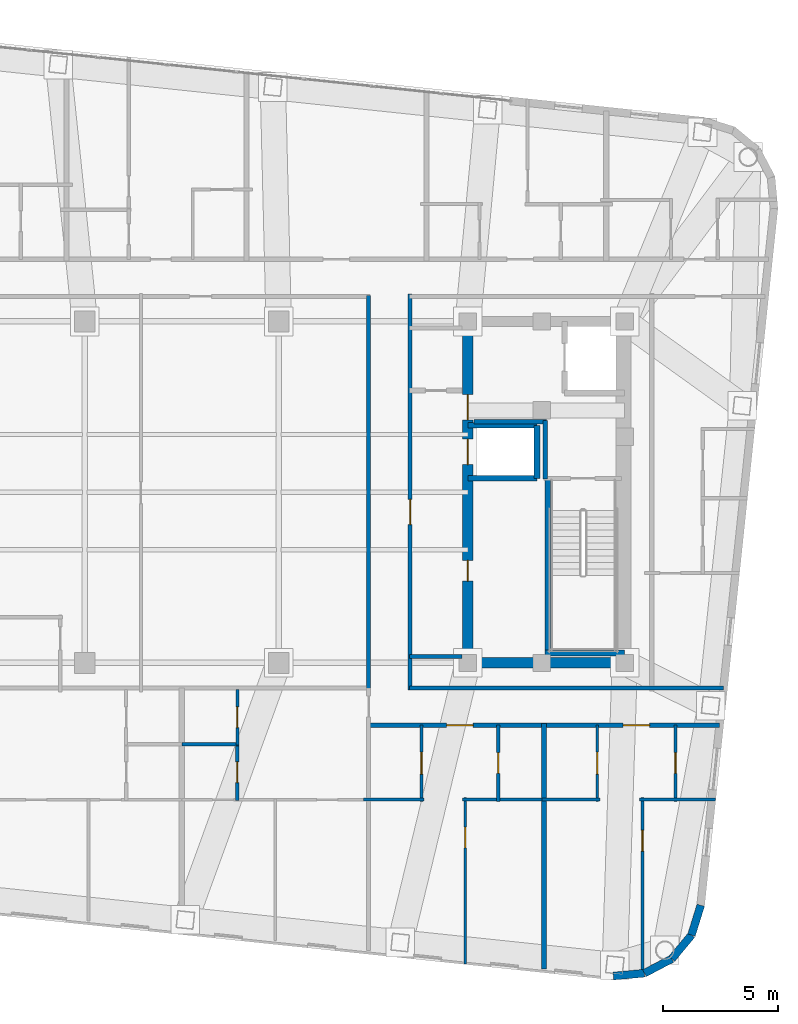
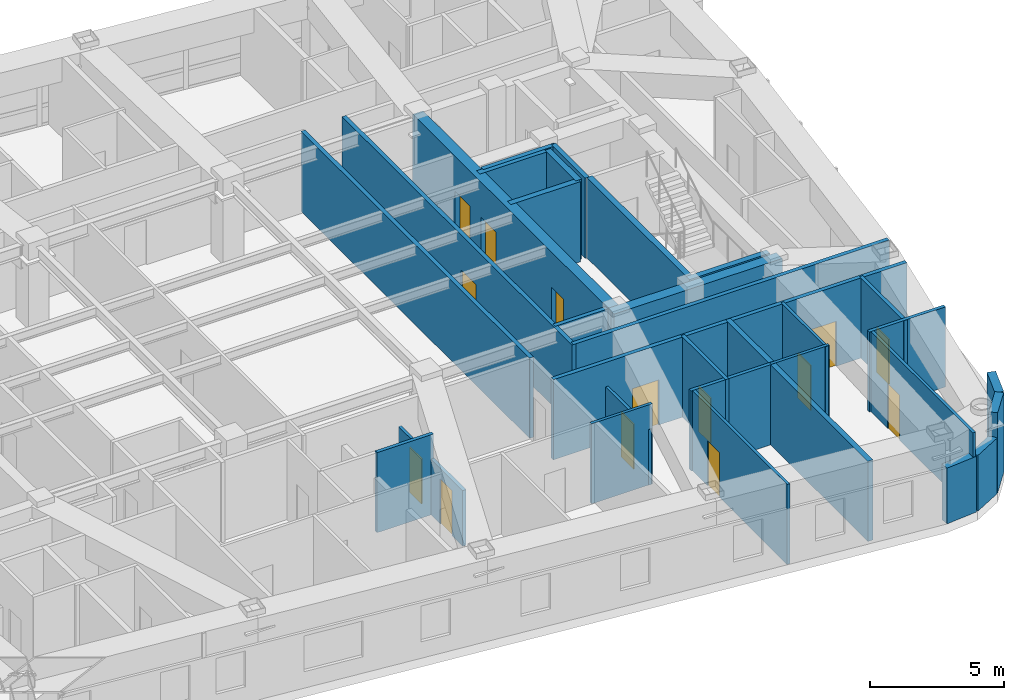
# One storey, part 11 of 16: 32 walls, 14 doors, 14 openings.
"""IFC4 building model written with IfcOpenShell, lengths in metres."""

from ifc_helpers import new_model, si_unit, direction, frame, frame_2d, origin, place, context, subcontext, project, spatial, rectangle, extrude, material, layer, layer_set, type_object, element, fill, save


model = new_model("IFC4")

# Units and contexts
model_context = context("Model", 3, precision=1e-05, world=origin(), true_north=direction((0.0, 1.0)))
body_context = subcontext(model_context, "Body", "Model", "MODEL_VIEW")
ifc_project = project(units=[si_unit("LENGTHUNIT", "METRE"), si_unit("AREAUNIT", "SQUARE_METRE"), si_unit("VOLUMEUNIT", "CUBIC_METRE"), si_unit("PLANEANGLEUNIT", "RADIAN"), si_unit("MASSUNIT", "GRAM", prefix="KILO")], contexts=[model_context])

# Site, building, storey
site_placement = place(None, origin())
site = spatial("IfcSite", under=ifc_project, at=site_placement, CompositionType="ELEMENT")
building_placement = place(site_placement, origin())
building = spatial("IfcBuilding", under=site, at=building_placement, Name="Voryun Gate Residences", CompositionType="ELEMENT")
storey_placement = place(building_placement, frame((0.0, 0.0, 260.0)))
storey = spatial("IfcBuildingStorey", under=building, at=storey_placement, Name="L64", CompositionType="ELEMENT", Elevation=260.0)

# Wall
ifc_material_1 = material(Name="Concrete C50/60", Category="concrete")
ifc_layer_1 = layer(ifc_material_1, 0.449951171875, Name="CW_CORE_450")
ifc_layer_set_1 = layer_set([ifc_layer_1], Name="Concrete C50/60")
wall_type_1 = type_object("IfcWallType", Name="CW_CORE_450", PredefinedType="SHEAR", material=ifc_layer_set_1)
wall_1_placement = place(storey_placement, frame((12.175048828125, -7.39990234375, 0.0), z_axis=(0.0, 0.0, 1.0), x_axis=(1.0, 0.0, 0.0)))
element("IfcWall", 1, at=wall_1_placement, inside=storey, type_object=wall_type_1, Name="L64 Core shear wall CW-L64-ES", PredefinedType="SHEAR", context=body_context, shape_type="SweptSolid", body=[
    extrude(rectangle(XDim=7.25, YDim=0.449951171875, at=frame_2d((3.625, 0.0))), origin(), (0.0, 0.0, 1.0), 3.64990234375),
])

# Wall, openings, doors
wall_2_placement = place(storey_placement, frame((12.39990234375, -7.39990234375, 0.0), z_axis=(0.0, 0.0, 1.0), x_axis=(0.0, 1.0, 0.0)))
wall_2 = element("IfcWall", 2, at=wall_2_placement, inside=storey, type_object=wall_type_1, Name="L64 Core shear wall CW-L64-EW", PredefinedType="SHEAR", context=body_context, shape_type="SweptSolid", body=[
    extrude(rectangle(XDim=14.7998046875, YDim=0.449951171875, at=frame_2d((7.39990234375, 0.0))), origin(), (0.0, 0.0, 1.0), 3.64990234375),
])
opening_1_placement = place(wall_2_placement, frame((8.60009765625, 0.0, 0.0)))
opening_1 = element("IfcOpeningElement", 3, at=opening_1_placement, cuts=wall_2, Name="Opening LD2", PredefinedType="OPENING", context=body_context, shape_type="SweptSolid", body=[
    extrude(rectangle(XDim=1.10009765625, YDim=2.050048828125, at=frame_2d((0.550048828125, 1.02490234375))), frame((0.0, 0.235107421875, 0.0), z_axis=(0.0, -1.0, 0.0), x_axis=(1.0, 0.0, 0.0)), (0.0, 0.0, 1.0), 0.469970703125),
])
opening_2_placement = place(wall_2_placement, frame((10.530029296875, 0.0, 0.0)))
opening_2 = element("IfcOpeningElement", 4, at=opening_2_placement, cuts=wall_2, Name="Opening D-FD60-2", PredefinedType="OPENING", context=body_context, shape_type="SweptSolid", body=[
    extrude(rectangle(XDim=1.10009765625, YDim=2.050048828125, at=frame_2d((0.550048828125, 1.02490234375))), frame((0.0, 0.235107421875, 0.0), z_axis=(0.0, -1.0, 0.0), x_axis=(1.0, 0.0, 0.0)), (0.0, 0.0, 1.0), 0.469970703125),
])
opening_3_placement = place(wall_2_placement, frame((3.550048828125, 0.0, 0.0)))
opening_3 = element("IfcOpeningElement", 5, at=opening_3_placement, cuts=wall_2, Name="Opening D-FD60-4", PredefinedType="OPENING", context=body_context, shape_type="SweptSolid", body=[
    extrude(rectangle(XDim=0.89990234375, YDim=2.050048828125, at=frame_2d((0.449951171875, 1.02490234375))), frame((0.0, 0.235107421875, 0.0), z_axis=(0.0, -1.0, 0.0), x_axis=(1.0, 0.0, 0.0)), (0.0, 0.0, 1.0), 0.469970703125),
])
ifc_material_2 = material(Name="Painted steel fire door", Category="steel")
door_type_1 = type_object("IfcDoorType", Name="DR_FD60_FFLOB_1100", OperationType="NOTDEFINED", PredefinedType="DOOR", material=ifc_material_2)
door_1_placement = place(opening_2_placement, origin())
door_1 = element("IfcDoor", 6, at=door_1_placement, inside=storey, type_object=door_type_1, Name="Door DR-L64-CLOB-E", OperationType="SINGLE_SWING_RIGHT", OverallHeight=2.050048828125, OverallWidth=1.10009765625, PredefinedType="DOOR", context=body_context, shape_type="SweptSolid", body=[
    extrude(rectangle(XDim=1.10009765625, YDim=2.050048828125, at=frame_2d((0.550048828125, 1.02490234375))), frame((0.0, 0.02490234375, 0.0), z_axis=(0.0, -1.0, 0.0), x_axis=(1.0, 0.0, 0.0)), (0.0, 0.0, 1.0), 0.050048828125),
])
fill(opening_2, door_1)
ifc_material_3 = material(Name="Painted steel fire door", Category="steel")
door_type_2 = type_object("IfcDoorType", Name="DR_FD60_RISER_900", OperationType="NOTDEFINED", PredefinedType="DOOR", material=ifc_material_3)
door_2_placement = place(opening_3_placement, origin())
door_2 = element("IfcDoor", 7, at=door_2_placement, inside=storey, type_object=door_type_2, Name="Door DR-L64-RECE-HI", OperationType="SINGLE_SWING_RIGHT", OverallHeight=2.050048828125, OverallWidth=0.89990234375, PredefinedType="DOOR", context=body_context, shape_type="SweptSolid", body=[
    extrude(rectangle(XDim=0.89990234375, YDim=2.050048828125, at=frame_2d((0.449951171875, 1.02490234375))), frame((0.0, 0.02490234375, 0.0), z_axis=(0.0, -1.0, 0.0), x_axis=(1.0, 0.0, 0.0)), (0.0, 0.0, 1.0), 0.050048828125),
])
fill(opening_3, door_2)
ifc_material_4 = material(Name="Anodised aluminium", Category="aluminium")
door_type_3 = type_object("IfcDoorType", Name="DR_LD_PASS_1100", OperationType="NOTDEFINED", PredefinedType="DOOR", material=ifc_material_4)
door_3_placement = place(opening_1_placement, origin())
door_3 = element("IfcDoor", 8, at=door_3_placement, inside=storey, type_object=door_type_3, Name="Lift EL-P8 sliding landing door L64", OperationType="SLIDING_TO_LEFT", OverallHeight=2.050048828125, OverallWidth=1.10009765625, PredefinedType="DOOR", context=body_context, shape_type="SweptSolid", body=[
    extrude(rectangle(XDim=1.10009765625, YDim=2.050048828125, at=frame_2d((0.550048828125, 1.02490234375))), frame((0.0, 0.02490234375, 0.0), z_axis=(0.0, -1.0, 0.0), x_axis=(1.0, 0.0, 0.0)), (0.0, 0.0, 1.0), 0.050048828125),
])
fill(opening_1, door_3)

# Wall
ifc_material_5 = material(Name="Gypsum acoustic fireboard")
ifc_layer_2 = layer(ifc_material_5, 0.179931640625, Name="W_CORR_RATED_180")
ifc_layer_set_2 = layer_set([ifc_layer_2], Name="Gypsum acoustic fireboard")
wall_type_2 = type_object("IfcWallType", Name="W_CORR_RATED_180", PredefinedType="PARTITIONING", material=ifc_layer_set_2)
wall_3_placement = place(storey_placement, frame((9.8798828125, -7.1201171875, 0.0), z_axis=(0.0, 0.0, 1.0), x_axis=(1.0, 0.0, 0.0)))
element("IfcWall", 9, at=wall_3_placement, inside=storey, type_object=wall_type_2, Name="Partition wall WP-L64-PLBS-E", PredefinedType="PARTITIONING", context=body_context, shape_type="SweptSolid", body=[
    extrude(rectangle(XDim=2.27001953125, YDim=0.179931640625, at=frame_2d((1.135009765625, 0.0))), origin(), (0.0, 0.0, 1.0), 3.64990234375),
])

# Wall, opening, door
wall_4_placement = place(storey_placement, frame((9.89990234375, -8.580078125, 0.0), z_axis=(0.0, 0.0, 1.0), x_axis=(0.0, 1.0, 0.0)))
wall_4 = element("IfcWall", 10, at=wall_4_placement, inside=storey, type_object=wall_type_2, Name="Partition wall WP-L64-PLBE-FULL", PredefinedType="PARTITIONING", context=body_context, shape_type="SweptSolid", body=[
    extrude(rectangle(XDim=17.16015625, YDim=0.179931640625, at=frame_2d((8.580078125, 0.0))), origin(), (0.0, 0.0, 1.0), 3.64990234375),
])
opening_4_placement = place(wall_4_placement, frame((7.172119140625, 0.0, 0.0)))
opening_4 = element("IfcOpeningElement", 11, at=opening_4_placement, cuts=wall_4, Name="Opening D-FD60-2", PredefinedType="OPENING", context=body_context, shape_type="SweptSolid", body=[
    extrude(rectangle(XDim=1.10009765625, YDim=2.050048828125, at=frame_2d((0.550048828125, 1.02490234375))), frame((0.0, 0.099853515625, 0.0), z_axis=(0.0, -1.0, 0.0), x_axis=(1.0, 0.0, 0.0)), (0.0, 0.0, 1.0), 0.199951171875),
])
door_4_placement = place(opening_4_placement, origin())
door_4 = element("IfcDoor", 12, at=door_4_placement, inside=storey, type_object=door_type_1, Name="Door DR-L64-PLBE-COR", OperationType="SINGLE_SWING_RIGHT", OverallHeight=2.050048828125, OverallWidth=1.10009765625, PredefinedType="DOOR", context=body_context, shape_type="SweptSolid", body=[
    extrude(rectangle(XDim=1.10009765625, YDim=2.050048828125, at=frame_2d((0.550048828125, 1.02490234375))), frame((0.0, 0.02490234375, 0.0), z_axis=(0.0, -1.0, 0.0), x_axis=(1.0, 0.0, 0.0)), (0.0, 0.0, 1.0), 0.050048828125),
])
fill(opening_4, door_4)

# Walls
wall_5_placement = place(storey_placement, frame((9.8798828125, -8.489990234375, 0.0), z_axis=(0.0, 0.0, 1.0), x_axis=(1.0, 0.0, 0.0)))
element("IfcWall", 13, at=wall_5_placement, inside=storey, type_object=wall_type_2, Name="Partition wall WP-L64-CWING-ES", PredefinedType="PARTITIONING", context=body_context, shape_type="SweptSolid", body=[
    extrude(rectangle(XDim=13.605712890625, YDim=0.179931640625, at=frame_2d((6.802734375, 0.0))), origin(), (0.0, 0.0, 1.0), 3.64990234375),
])
wall_6_placement = place(storey_placement, frame((8.10009765625, -8.530029296875, 0.0), z_axis=(0.0, 0.0, 1.0), x_axis=(0.0, 1.0, 0.0)))
element("IfcWall", 14, at=wall_6_placement, inside=storey, type_object=wall_type_2, Name="Partition wall WP-L64-Z3E", PredefinedType="PARTITIONING", context=body_context, shape_type="SweptSolid", body=[
    extrude(rectangle(XDim=17.06005859375, YDim=0.179931640625, at=frame_2d((8.530029296875, 0.0))), origin(), (0.0, 0.0, 1.0), 3.64990234375),
])

# Wall, openings, doors
wall_7_placement = place(storey_placement, frame((8.080078125, -10.10009765625, 0.0), z_axis=(0.0, 0.0, 1.0), x_axis=(1.0, 0.0, 0.0)))
wall_7 = element("IfcWall", 15, at=wall_7_placement, inside=storey, type_object=wall_type_2, Name="Partition wall WP-L64-SCORR-E", PredefinedType="PARTITIONING", context=body_context, shape_type="SweptSolid", body=[
    extrude(rectangle(XDim=15.236083984375, YDim=0.179931640625, at=frame_2d((7.6181640625, 0.0))), origin(), (0.0, 0.0, 1.0), 3.64990234375),
])
opening_5_placement = place(wall_7_placement, frame((3.400146484375, 0.0, 0.0)))
opening_5 = element("IfcOpeningElement", 16, at=opening_5_placement, cuts=wall_7, Name="Opening D-UNIT-1", PredefinedType="OPENING", context=body_context, shape_type="SweptSolid", body=[
    extrude(rectangle(XDim=1.14990234375, YDim=2.050048828125, at=frame_2d((0.574951171875, 1.02490234375))), frame((0.0, 0.099853515625, 0.0), z_axis=(0.0, -1.0, 0.0), x_axis=(1.0, 0.0, 0.0)), (0.0, 0.0, 1.0), 0.199951171875),
])
opening_6_placement = place(wall_7_placement, frame((11.05029296875, 0.0, 0.0)))
opening_6 = element("IfcOpeningElement", 17, at=opening_6_placement, cuts=wall_7, Name="Opening D-UNIT-1", PredefinedType="OPENING", context=body_context, shape_type="SweptSolid", body=[
    extrude(rectangle(XDim=1.14990234375, YDim=2.050048828125, at=frame_2d((0.574951171875, 1.02490234375))), frame((0.0, 0.099853515625, 0.0), z_axis=(0.0, -1.0, 0.0), x_axis=(1.0, 0.0, 0.0)), (0.0, 0.0, 1.0), 0.199951171875),
])
ifc_material_6 = material(Name="Armoured timber-clad fire door", Category="wood")
door_type_4 = type_object("IfcDoorType", Name="DR_UNIT_ENTRY_1150", OperationType="NOTDEFINED", PredefinedType="DOOR", material=ifc_material_6)
door_5_placement = place(opening_5_placement, origin())
door_5 = element("IfcDoor", 18, at=door_5_placement, inside=storey, type_object=door_type_4, Name="Door DR-L64-SENT-6", OperationType="SINGLE_SWING_LEFT", OverallHeight=2.050048828125, OverallWidth=1.14990234375, PredefinedType="DOOR", context=body_context, shape_type="SweptSolid", body=[
    extrude(rectangle(XDim=1.14990234375, YDim=2.050048828125, at=frame_2d((0.574951171875, 1.02490234375))), frame((0.0, 0.02490234375, 0.0), z_axis=(0.0, -1.0, 0.0), x_axis=(1.0, 0.0, 0.0)), (0.0, 0.0, 1.0), 0.050048828125),
])
fill(opening_5, door_5)
door_6_placement = place(opening_6_placement, origin())
door_6 = element("IfcDoor", 19, at=door_6_placement, inside=storey, type_object=door_type_4, Name="Door DR-L64-SENT-7", OperationType="SINGLE_SWING_RIGHT", OverallHeight=2.050048828125, OverallWidth=1.14990234375, PredefinedType="DOOR", context=body_context, shape_type="SweptSolid", body=[
    extrude(rectangle(XDim=1.14990234375, YDim=2.050048828125, at=frame_2d((0.574951171875, 1.02490234375))), frame((0.0, 0.02490234375, 0.0), z_axis=(0.0, -1.0, 0.0), x_axis=(1.0, 0.0, 0.0)), (0.0, 0.0, 1.0), 0.050048828125),
])
fill(opening_6, door_6)

# Walls
ifc_material_7 = material(Name="Charcoal terracotta masonry", Category="masonry")
ifc_layer_3 = layer(ifc_material_7, 0.340087890625, Name="W_EXT_TERRACOTTA_340")
ifc_layer_set_3 = layer_set([ifc_layer_3], Name="Charcoal terracotta masonry")
wall_type_3 = type_object("IfcWallType", Name="W_EXT_TERRACOTTA_340", PredefinedType="ELEMENTEDWALL", material=ifc_layer_set_3)
wall_8_placement = place(storey_placement, frame((22.495849609375, -17.904541015625, 0.0), z_axis=(0.0, 0.0, 1.0), x_axis=(-0.296416228123, -0.955058856671, 0.0)))
element("IfcWall", 20, at=wall_8_placement, inside=storey, type_object=wall_type_3, Name="Exterior wall WEXT-L64-17", PredefinedType="ELEMENTEDWALL", context=body_context, shape_type="SweptSolid", body=[
    extrude(rectangle(XDim=1.35400390625, YDim=0.340087890625, at=frame_2d((0.677001953125, 0.0))), origin(), (0.0, 0.0, 1.0), 3.64990234375),
])
wall_9_placement = place(storey_placement, frame((22.094482421875, -19.19775390625, 0.0), z_axis=(0.0, 0.0, 1.0), x_axis=(-0.639501603217, -0.768789762863, 0.0)))
element("IfcWall", 21, at=wall_9_placement, inside=storey, type_object=wall_type_3, Name="Exterior wall WEXT-L64-18", PredefinedType="ELEMENTEDWALL", context=body_context, shape_type="SweptSolid", body=[
    extrude(rectangle(XDim=1.3369140625, YDim=0.340087890625, at=frame_2d((0.66845703125, 0.0))), origin(), (0.0, 0.0, 1.0), 3.64990234375),
])
wall_10_placement = place(storey_placement, frame((21.239501953125, -20.2255859375, 0.0), z_axis=(0.0, 0.0, 1.0), x_axis=(-0.884922182678, -0.465738908193, 0.0)))
element("IfcWall", 22, at=wall_10_placement, inside=storey, type_object=wall_type_3, Name="Exterior wall WEXT-L64-19", PredefinedType="ELEMENTEDWALL", context=body_context, shape_type="SweptSolid", body=[
    extrude(rectangle(XDim=1.337158203125, YDim=0.340087890625, at=frame_2d((0.66845703125, 0.0))), origin(), (0.0, 0.0, 1.0), 2.5400390625),
])
wall_11_placement = place(storey_placement, frame((20.05615234375, -20.848388671875, 0.0), z_axis=(0.0, 0.0, 1.0), x_axis=(-0.995813013343, -0.091413579172, 0.0)))
element("IfcWall", 23, at=wall_11_placement, inside=storey, type_object=wall_type_3, Name="Exterior wall WEXT-L64-20", PredefinedType="ELEMENTEDWALL", context=body_context, shape_type="SweptSolid", body=[
    extrude(rectangle(XDim=1.35400390625, YDim=0.340087890625, at=frame_2d((0.677001953125, 0.0))), origin(), (0.0, 0.0, 1.0), 2.5400390625),
])
ifc_material_8 = material(Name="Concrete C40/50", Category="concrete")
ifc_layer_4 = layer(ifc_material_8, 0.199951171875, Name="W_FF_LOBBY_200")
ifc_layer_set_4 = layer_set([ifc_layer_4], Name="Concrete C40/50")
wall_type_4 = type_object("IfcWallType", Name="W_FF_LOBBY_200", PredefinedType="PARTITIONING", material=ifc_layer_set_4)
wall_12_placement = place(storey_placement, frame((15.760009765625, 0.580078125, 0.0), z_axis=(0.0, 0.0, 1.0), x_axis=(0.0, 1.0, 0.0)))
element("IfcWall", 24, at=wall_12_placement, inside=storey, type_object=wall_type_4, Name="Partition wall WP-L64-FFP0-E", PredefinedType="PARTITIONING", context=body_context, shape_type="SweptSolid", body=[
    extrude(rectangle(XDim=2.52001953125, YDim=0.199951171875, at=frame_2d((1.260009765625, 0.0))), origin(), (0.0, 0.0, 1.0), 3.64990234375),
])
wall_13_placement = place(storey_placement, frame((12.659912109375, 3.06005859375, 0.0), z_axis=(0.0, 0.0, 1.0), x_axis=(1.0, 0.0, 0.0)))
element("IfcWall", 25, at=wall_13_placement, inside=storey, type_object=wall_type_4, Name="Partition wall WP-L64-FFPS-E", PredefinedType="PARTITIONING", context=body_context, shape_type="SweptSolid", body=[
    extrude(rectangle(XDim=3.16015625, YDim=0.199951171875, at=frame_2d((1.580078125, 0.0))), origin(), (0.0, 0.0, 1.0), 3.64990234375),
])
ifc_material_9 = material(Name="Concrete C40/50", Category="concrete")
ifc_layer_5 = layer(ifc_material_9, 0.219970703125, Name="W_PARTY_ACOUSTIC_220")
ifc_layer_set_5 = layer_set([ifc_layer_5], Name="Concrete C40/50")
wall_type_5 = type_object("IfcWallType", Name="W_PARTY_ACOUSTIC_220", PredefinedType="PARTITIONING", material=ifc_layer_set_5)
wall_14_placement = place(storey_placement, frame((15.699951171875, -20.656005859375, 0.0), z_axis=(0.0, 0.0, 1.0), x_axis=(0.0, 1.0, 0.0)))
element("IfcWall", 26, at=wall_14_placement, inside=storey, type_object=wall_type_5, Name="Partition wall WP-L64-SPTY-6", PredefinedType="PARTITIONING", context=body_context, shape_type="SweptSolid", body=[
    extrude(rectangle(XDim=10.635986328125, YDim=0.219970703125, at=frame_2d((5.31787109375, 0.0))), origin(), (0.0, 0.0, 1.0), 3.64990234375),
])
ifc_material_10 = material(Name="Concrete C50/60", Category="concrete")
ifc_layer_6 = layer(ifc_material_10, 0.25, Name="W_SHAFT_RC250")
ifc_layer_set_6 = layer_set([ifc_layer_6], Name="Concrete C50/60")
wall_type_6 = type_object("IfcWallType", Name="W_SHAFT_RC250", PredefinedType="SOLIDWALL", material=ifc_layer_set_6)
wall_15_placement = place(storey_placement, frame((15.860107421875, -7.0849609375, 0.0), z_axis=(0.0, 0.0, 1.0), x_axis=(0.0, 1.0, 0.0)))
element("IfcWall", 27, at=wall_15_placement, inside=storey, type_object=wall_type_6, Name="L64 Stair shaft structural wall E-STL", PredefinedType="SOLIDWALL", context=body_context, shape_type="SweptSolid", body=[
    extrude(rectangle(XDim=7.68505859375, YDim=0.25, at=frame_2d((3.842529296875, 0.0))), origin(), (0.0, 0.0, 1.0), 3.64990234375),
])
wall_16_placement = place(storey_placement, frame((15.739990234375, -6.965087890625, 0.0), z_axis=(0.0, 0.0, 1.0), x_axis=(1.0, 0.0, 0.0)))
element("IfcWall", 28, at=wall_16_placement, inside=storey, type_object=wall_type_6, Name="L64 Stair shaft structural wall E-STS", PredefinedType="SOLIDWALL", context=body_context, shape_type="SweptSolid", body=[
    extrude(rectangle(XDim=3.4599609375, YDim=0.25, at=frame_2d((1.72998046875, 0.0))), origin(), (0.0, 0.0, 1.0), 3.64990234375),
])
wall_17_placement = place(storey_placement, frame((12.39990234375, 0.60009765625, 0.0), z_axis=(0.0, 0.0, 1.0), x_axis=(1.0, 0.0, 0.0)))
element("IfcWall", 29, at=wall_17_placement, inside=storey, type_object=wall_type_6, Name="Lift shaft wall WSH-L64-EL-P8-S", PredefinedType="SOLIDWALL", context=body_context, shape_type="SweptSolid", body=[
    extrude(rectangle(XDim=3.0, YDim=0.25, at=frame_2d((1.5, 0.0))), origin(), (0.0, 0.0, 1.0), 3.64990234375),
])
wall_18_placement = place(storey_placement, frame((15.39990234375, 0.60009765625, 0.0), z_axis=(0.0, 0.0, 1.0), x_axis=(0.0, 1.0, 0.0)))
element("IfcWall", 30, at=wall_18_placement, inside=storey, type_object=wall_type_6, Name="Lift shaft wall WSH-L64-EL-P8-E", PredefinedType="SOLIDWALL", context=body_context, shape_type="SweptSolid", body=[
    extrude(rectangle(XDim=2.2998046875, YDim=0.25, at=frame_2d((1.14990234375, 0.0))), origin(), (0.0, 0.0, 1.0), 3.64990234375),
])
wall_19_placement = place(storey_placement, frame((15.39990234375, 2.89990234375, 0.0), z_axis=(0.0, 0.0, 1.0), x_axis=(-1.0, 0.0, 0.0)))
element("IfcWall", 31, at=wall_19_placement, inside=storey, type_object=wall_type_6, Name="Lift shaft wall WSH-L64-EL-P8-N", PredefinedType="SOLIDWALL", context=body_context, shape_type="SweptSolid", body=[
    extrude(rectangle(XDim=3.0, YDim=0.25, at=frame_2d((1.5, 0.0))), origin(), (0.0, 0.0, 1.0), 3.64990234375),
])

# Wall, opening, door
ifc_material_11 = material(Name="Gypsum acoustic partition")
ifc_layer_7 = layer(ifc_material_11, 0.125, Name="W_UNIT_PART_125")
ifc_layer_set_7 = layer_set([ifc_layer_7], Name="Gypsum acoustic partition")
wall_type_7 = type_object("IfcWallType", Name="W_UNIT_PART_125", PredefinedType="PARTITIONING", material=ifc_layer_set_7)
wall_20_placement = place(storey_placement, frame((12.2900390625, -20.448486328125, 0.0), z_axis=(0.0, 0.0, 1.0), x_axis=(0.0, 1.0, 0.0)))
wall_20 = element("IfcWall", 32, at=wall_20_placement, inside=storey, type_object=wall_type_7, Name="Partition wall WP-L64-S6-OVR", PredefinedType="PARTITIONING", context=body_context, shape_type="SweptSolid", body=[
    extrude(rectangle(XDim=7.20849609375, YDim=0.125, at=frame_2d((3.604248046875, 0.0))), origin(), (0.0, 0.0, 1.0), 3.64990234375),
])
opening_7_placement = place(wall_20_placement, frame((5.0283203125, 0.0, 0.0)))
opening_7 = element("IfcOpeningElement", 33, at=opening_7_placement, cuts=wall_20, Name="Opening D-INT-2", PredefinedType="OPENING", context=body_context, shape_type="SweptSolid", body=[
    extrude(rectangle(XDim=0.89990234375, YDim=2.050048828125, at=frame_2d((0.449951171875, 1.02490234375))), frame((0.0, 0.072509765625, 0.0), z_axis=(0.0, -1.0, 0.0), x_axis=(1.0, 0.0, 0.0)), (0.0, 0.0, 1.0), 0.14501953125),
])
ifc_material_12 = material(Name="Architectural oak veneer")
door_type_5 = type_object("IfcDoorType", Name="DR_INT_BATH_900", OperationType="NOTDEFINED", PredefinedType="DOOR", material=ifc_material_12)
door_7_placement = place(opening_7_placement, origin())
door_7 = element("IfcDoor", 34, at=door_7_placement, inside=storey, type_object=door_type_5, Name="Door DR-L64-S6-DMB", OperationType="SINGLE_SWING_RIGHT", OverallHeight=2.050048828125, OverallWidth=0.89990234375, PredefinedType="DOOR", context=body_context, shape_type="SweptSolid", body=[
    extrude(rectangle(XDim=0.89990234375, YDim=2.050048828125, at=frame_2d((0.449951171875, 1.02490234375))), frame((0.0, 0.02490234375, 0.0), z_axis=(0.0, -1.0, 0.0), x_axis=(1.0, 0.0, 0.0)), (0.0, 0.0, 1.0), 0.050048828125),
])
fill(opening_7, door_7)

wall_21_placement = place(storey_placement, frame((10.389892578125, -13.39990234375, 0.0), z_axis=(0.0, 0.0, 1.0), x_axis=(0.0, 1.0, 0.0)))
wall_21 = element("IfcWall", 35, at=wall_21_placement, inside=storey, type_object=wall_type_7, Name="Partition wall WP-L64-S6-IVK", PredefinedType="PARTITIONING", context=body_context, shape_type="SweptSolid", body=[
    extrude(rectangle(XDim=3.31982421875, YDim=0.125, at=frame_2d((1.659912109375, 0.0))), origin(), (0.0, 0.0, 1.0), 2.5400390625),
])
opening_8_placement = place(wall_21_placement, frame((1.18505859375, 0.0, 0.0)))
opening_8 = element("IfcOpeningElement", 36, at=opening_8_placement, cuts=wall_21, Name="Opening D-INT-1", PredefinedType="OPENING", context=body_context, shape_type="SweptSolid", body=[
    extrude(rectangle(XDim=0.949951171875, YDim=2.050048828125, at=frame_2d((0.47509765625, 1.02490234375))), frame((0.0, 0.072509765625, 0.0), z_axis=(0.0, -1.0, 0.0), x_axis=(1.0, 0.0, 0.0)), (0.0, 0.0, 1.0), 0.14501953125),
])
ifc_material_13 = material(Name="Architectural oak veneer")
door_type_6 = type_object("IfcDoorType", Name="DR_INT_ROOM_950", OperationType="NOTDEFINED", PredefinedType="DOOR", material=ifc_material_13)
door_8_placement = place(opening_8_placement, origin())
door_8 = element("IfcDoor", 37, at=door_8_placement, inside=storey, type_object=door_type_6, Name="Door DR-L64-S6-DK", OperationType="SINGLE_SWING_LEFT", OverallHeight=2.050048828125, OverallWidth=0.949951171875, PredefinedType="DOOR", context=body_context, shape_type="SweptSolid", body=[
    extrude(rectangle(XDim=0.949951171875, YDim=2.050048828125, at=frame_2d((0.47509765625, 1.02490234375))), frame((0.0, 0.02490234375, 0.0), z_axis=(0.0, -1.0, 0.0), x_axis=(1.0, 0.0, 0.0)), (0.0, 0.0, 1.0), 0.050048828125),
])
fill(opening_8, door_8)

# Wall
wall_22_placement = place(storey_placement, frame((7.887451171875, -13.320068359375, 0.0), z_axis=(0.0, 0.0, 1.0), x_axis=(1.0, 0.0, 0.0)))
element("IfcWall", 38, at=wall_22_placement, inside=storey, type_object=wall_type_7, Name="Partition wall WP-L64-S6-HZK", PredefinedType="PARTITIONING", context=body_context, shape_type="SweptSolid", body=[
    extrude(rectangle(XDim=2.62255859375, YDim=0.125, at=frame_2d((1.311279296875, 0.0))), origin(), (0.0, 0.0, 1.0), 3.64990234375),
])

# Wall, opening, door
wall_23_placement = place(storey_placement, frame((19.970947265625, -21.006591796875, 0.0), z_axis=(0.0, 0.0, 1.0), x_axis=(0.0, 1.0, 0.0)))
wall_23 = element("IfcWall", 39, at=wall_23_placement, inside=storey, type_object=wall_type_7, Name="Partition wall WP-L64-S7-OVR", PredefinedType="PARTITIONING", context=body_context, shape_type="SweptSolid", body=[
    extrude(rectangle(XDim=7.7666015625, YDim=0.125, at=frame_2d((3.88330078125, 0.0))), origin(), (0.0, 0.0, 1.0), 3.64990234375),
])
opening_9_placement = place(wall_23_placement, frame((5.45263671875, 0.0, 0.0)))
opening_9 = element("IfcOpeningElement", 40, at=opening_9_placement, cuts=wall_23, Name="Opening D-INT-2", PredefinedType="OPENING", context=body_context, shape_type="SweptSolid", body=[
    extrude(rectangle(XDim=0.89990234375, YDim=2.050048828125, at=frame_2d((0.449951171875, 1.02490234375))), frame((0.0, 0.072509765625, 0.0), z_axis=(0.0, -1.0, 0.0), x_axis=(1.0, 0.0, 0.0)), (0.0, 0.0, 1.0), 0.14501953125),
])
door_9_placement = place(opening_9_placement, origin())
door_9 = element("IfcDoor", 41, at=door_9_placement, inside=storey, type_object=door_type_5, Name="Door DR-L64-S7-DMB", OperationType="SINGLE_SWING_RIGHT", OverallHeight=2.050048828125, OverallWidth=0.89990234375, PredefinedType="DOOR", context=body_context, shape_type="SweptSolid", body=[
    extrude(rectangle(XDim=0.89990234375, YDim=2.050048828125, at=frame_2d((0.449951171875, 1.02490234375))), frame((0.0, 0.02490234375, 0.0), z_axis=(0.0, -1.0, 0.0), x_axis=(1.0, 0.0, 0.0)), (0.0, 0.0, 1.0), 0.050048828125),
])
fill(opening_9, door_9)

wall_24_placement = place(storey_placement, frame((18.010009765625, -13.39990234375, 0.0), z_axis=(0.0, 0.0, 1.0), x_axis=(0.0, 1.0, 0.0)))
wall_24 = element("IfcWall", 42, at=wall_24_placement, inside=storey, type_object=wall_type_7, Name="Partition wall WP-L64-S7-IVK", PredefinedType="PARTITIONING", context=body_context, shape_type="SweptSolid", body=[
    extrude(rectangle(XDim=3.31982421875, YDim=0.125, at=frame_2d((1.659912109375, 0.0))), origin(), (0.0, 0.0, 1.0), 3.64990234375),
])
opening_10_placement = place(wall_24_placement, frame((1.18505859375, 0.0, 0.0)))
opening_10 = element("IfcOpeningElement", 43, at=opening_10_placement, cuts=wall_24, Name="Opening D-INT-1", PredefinedType="OPENING", context=body_context, shape_type="SweptSolid", body=[
    extrude(rectangle(XDim=0.949951171875, YDim=2.050048828125, at=frame_2d((0.47509765625, 1.02490234375))), frame((0.0, 0.072509765625, 0.0), z_axis=(0.0, -1.0, 0.0), x_axis=(1.0, 0.0, 0.0)), (0.0, 0.0, 1.0), 0.14501953125),
])
door_10_placement = place(opening_10_placement, origin())
door_10 = element("IfcDoor", 44, at=door_10_placement, inside=storey, type_object=door_type_6, Name="Door DR-L64-S7-DK", OperationType="SINGLE_SWING_LEFT", OverallHeight=2.050048828125, OverallWidth=0.949951171875, PredefinedType="DOOR", context=body_context, shape_type="SweptSolid", body=[
    extrude(rectangle(XDim=0.949951171875, YDim=2.050048828125, at=frame_2d((0.47509765625, 1.02490234375))), frame((0.0, 0.02490234375, 0.0), z_axis=(0.0, -1.0, 0.0), x_axis=(1.0, 0.0, 0.0)), (0.0, 0.0, 1.0), 0.050048828125),
])
fill(opening_10, door_10)

# Wall
wall_25_placement = place(storey_placement, frame((15.625, -13.320068359375, 0.0), z_axis=(0.0, 0.0, 1.0), x_axis=(1.0, 0.0, 0.0)))
element("IfcWall", 45, at=wall_25_placement, inside=storey, type_object=wall_type_7, Name="Partition wall WP-L64-S7-HZK", PredefinedType="PARTITIONING", context=body_context, shape_type="SweptSolid", body=[
    extrude(rectangle(XDim=2.5048828125, YDim=0.125, at=frame_2d((1.25244140625, 0.0))), origin(), (0.0, 0.0, 1.0), 3.64990234375),
])

# Wall, opening, door
wall_26_placement = place(storey_placement, frame((2.409912109375, -10.9599609375, 0.0), z_axis=(0.0, 0.0, 1.0), x_axis=(0.0, 1.0, 0.0)))
wall_26 = element("IfcWall", 46, at=wall_26_placement, inside=storey, type_object=wall_type_7, Name="Partition wall WP-L64-SC2-VK1", PredefinedType="PARTITIONING", context=body_context, shape_type="SweptSolid", body=[
    extrude(rectangle(XDim=2.409912109375, YDim=0.125, at=frame_2d((1.205078125, 0.0))), origin(), (0.0, 0.0, 1.0), 2.5400390625),
])
opening_11_placement = place(wall_26_placement, frame((0.7548828125, 0.0, 0.0)))
opening_11 = element("IfcOpeningElement", 47, at=opening_11_placement, cuts=wall_26, Name="Opening D-INT-2", PredefinedType="OPENING", context=body_context, shape_type="SweptSolid", body=[
    extrude(rectangle(XDim=0.89990234375, YDim=2.050048828125, at=frame_2d((0.449951171875, 1.02490234375))), frame((0.0, 0.072509765625, 0.0), z_axis=(0.0, -1.0, 0.0), x_axis=(1.0, 0.0, 0.0)), (0.0, 0.0, 1.0), 0.14501953125),
])
door_11_placement = place(opening_11_placement, origin())
door_11 = element("IfcDoor", 48, at=door_11_placement, inside=storey, type_object=door_type_5, Name="Door DR-L64-SC2-DK", OperationType="SINGLE_SWING_LEFT", OverallHeight=2.050048828125, OverallWidth=0.89990234375, PredefinedType="DOOR", context=body_context, shape_type="SweptSolid", body=[
    extrude(rectangle(XDim=0.89990234375, YDim=2.050048828125, at=frame_2d((0.449951171875, 1.02490234375))), frame((0.0, 0.02490234375, 0.0), z_axis=(0.0, -1.0, 0.0), x_axis=(1.0, 0.0, 0.0)), (0.0, 0.0, 1.0), 0.050048828125),
])
fill(opening_11, door_11)

# Wall
ifc_material_14 = material(Name="Gypsum moisture-resistant partition")
ifc_layer_8 = layer(ifc_material_14, 0.14990234375, Name="W_WET_PLUMB_150")
ifc_layer_set_8 = layer_set([ifc_layer_8], Name="Gypsum moisture-resistant partition")
wall_type_8 = type_object("IfcWallType", Name="W_WET_PLUMB_150", PredefinedType="PLUMBINGWALL", material=ifc_layer_set_8)
wall_27_placement = place(storey_placement, frame((12.169921875, -13.320068359375, 0.0), z_axis=(0.0, 0.0, 1.0), x_axis=(1.0, 0.0, 0.0)))
element("IfcWall", 49, at=wall_27_placement, inside=storey, type_object=wall_type_8, Name="Partition wall WP-L64-S6-HZB", PredefinedType="PLUMBINGWALL", context=body_context, shape_type="SweptSolid", body=[
    extrude(rectangle(XDim=3.60498046875, YDim=0.14990234375, at=frame_2d((1.802490234375, 0.0))), origin(), (0.0, 0.0, 1.0), 3.64990234375),
])

# Wall, opening, door
wall_28_placement = place(storey_placement, frame((13.719970703125, -13.39990234375, 0.0), z_axis=(0.0, 0.0, 1.0), x_axis=(0.0, 1.0, 0.0)))
wall_28 = element("IfcWall", 50, at=wall_28_placement, inside=storey, type_object=wall_type_8, Name="Partition wall WP-L64-S6-IVB", PredefinedType="PLUMBINGWALL", context=body_context, shape_type="SweptSolid", body=[
    extrude(rectangle(XDim=3.31982421875, YDim=0.14990234375, at=frame_2d((1.659912109375, 0.0))), origin(), (0.0, 0.0, 1.0), 3.64990234375),
])
opening_12_placement = place(wall_28_placement, frame((1.2099609375, 0.0, 0.0)))
opening_12 = element("IfcOpeningElement", 51, at=opening_12_placement, cuts=wall_28, Name="Opening D-INT-2", PredefinedType="OPENING", context=body_context, shape_type="SweptSolid", body=[
    extrude(rectangle(XDim=0.89990234375, YDim=2.050048828125, at=frame_2d((0.449951171875, 1.02490234375))), frame((0.0, 0.0849609375, 0.0), z_axis=(0.0, -1.0, 0.0), x_axis=(1.0, 0.0, 0.0)), (0.0, 0.0, 1.0), 0.169921875),
])
door_12_placement = place(opening_12_placement, origin())
door_12 = element("IfcDoor", 52, at=door_12_placement, inside=storey, type_object=door_type_5, Name="Door DR-L64-S6-DB", OperationType="SINGLE_SWING_RIGHT", OverallHeight=2.050048828125, OverallWidth=0.89990234375, PredefinedType="DOOR", context=body_context, shape_type="SweptSolid", body=[
    extrude(rectangle(XDim=0.89990234375, YDim=2.050048828125, at=frame_2d((0.449951171875, 1.02490234375))), frame((0.0, 0.02490234375, 0.0), z_axis=(0.0, -1.0, 0.0), x_axis=(1.0, 0.0, 0.0)), (0.0, 0.0, 1.0), 0.050048828125),
])
fill(opening_12, door_12)

# Wall
wall_29_placement = place(storey_placement, frame((19.85107421875, -13.320068359375, 0.0), z_axis=(0.0, 0.0, 1.0), x_axis=(1.0, 0.0, 0.0)))
element("IfcWall", 53, at=wall_29_placement, inside=storey, type_object=wall_type_8, Name="Partition wall WP-L64-S7-HZB", PredefinedType="PLUMBINGWALL", context=body_context, shape_type="SweptSolid", body=[
    extrude(rectangle(XDim=3.277587890625, YDim=0.14990234375, at=frame_2d((1.638671875, 0.0))), origin(), (0.0, 0.0, 1.0), 3.64990234375),
])

# Wall, opening, door
wall_30_placement = place(storey_placement, frame((21.40087890625, -13.39990234375, 0.0), z_axis=(0.0, 0.0, 1.0), x_axis=(0.0, 1.0, 0.0)))
wall_30 = element("IfcWall", 54, at=wall_30_placement, inside=storey, type_object=wall_type_8, Name="Partition wall WP-L64-S7-IVB", PredefinedType="PLUMBINGWALL", context=body_context, shape_type="SweptSolid", body=[
    extrude(rectangle(XDim=3.31982421875, YDim=0.14990234375, at=frame_2d((1.659912109375, 0.0))), origin(), (0.0, 0.0, 1.0), 3.64990234375),
])
opening_13_placement = place(wall_30_placement, frame((1.2099609375, 0.0, 0.0)))
opening_13 = element("IfcOpeningElement", 55, at=opening_13_placement, cuts=wall_30, Name="Opening D-INT-2", PredefinedType="OPENING", context=body_context, shape_type="SweptSolid", body=[
    extrude(rectangle(XDim=0.89990234375, YDim=2.050048828125, at=frame_2d((0.449951171875, 1.02490234375))), frame((0.0, 0.0849609375, 0.0), z_axis=(0.0, -1.0, 0.0), x_axis=(1.0, 0.0, 0.0)), (0.0, 0.0, 1.0), 0.169921875),
])
door_13_placement = place(opening_13_placement, origin())
door_13 = element("IfcDoor", 56, at=door_13_placement, inside=storey, type_object=door_type_5, Name="Door DR-L64-S7-DB", OperationType="SINGLE_SWING_RIGHT", OverallHeight=2.050048828125, OverallWidth=0.89990234375, PredefinedType="DOOR", context=body_context, shape_type="SweptSolid", body=[
    extrude(rectangle(XDim=0.89990234375, YDim=2.050048828125, at=frame_2d((0.449951171875, 1.02490234375))), frame((0.0, 0.02490234375, 0.0), z_axis=(0.0, -1.0, 0.0), x_axis=(1.0, 0.0, 0.0)), (0.0, 0.0, 1.0), 0.050048828125),
])
fill(opening_13, door_13)

wall_31_placement = place(storey_placement, frame((2.409912109375, -13.3701171875, 0.0), z_axis=(0.0, 0.0, 1.0), x_axis=(0.0, 1.0, 0.0)))
wall_31 = element("IfcWall", 57, at=wall_31_placement, inside=storey, type_object=wall_type_8, Name="Partition wall WP-L64-SC2-VK2", PredefinedType="PLUMBINGWALL", context=body_context, shape_type="SweptSolid", body=[
    extrude(rectangle(XDim=2.47021484375, YDim=0.14990234375, at=frame_2d((1.235107421875, 0.0))), origin(), (0.0, 0.0, 1.0), 2.5400390625),
])
opening_14_placement = place(wall_31_placement, frame((0.784912109375, 0.0, 0.0)))
opening_14 = element("IfcOpeningElement", 58, at=opening_14_placement, cuts=wall_31, Name="Opening D-INT-2", PredefinedType="OPENING", context=body_context, shape_type="SweptSolid", body=[
    extrude(rectangle(XDim=0.89990234375, YDim=2.050048828125, at=frame_2d((0.449951171875, 1.02490234375))), frame((0.0, 0.0849609375, 0.0), z_axis=(0.0, -1.0, 0.0), x_axis=(1.0, 0.0, 0.0)), (0.0, 0.0, 1.0), 0.169921875),
])
door_14_placement = place(opening_14_placement, origin())
door_14 = element("IfcDoor", 59, at=door_14_placement, inside=storey, type_object=door_type_5, Name="Door DR-L64-SC2-DB", OperationType="SINGLE_SWING_RIGHT", OverallHeight=2.050048828125, OverallWidth=0.89990234375, PredefinedType="DOOR", context=body_context, shape_type="SweptSolid", body=[
    extrude(rectangle(XDim=0.89990234375, YDim=2.050048828125, at=frame_2d((0.449951171875, 1.02490234375))), frame((0.0, 0.02490234375, 0.0), z_axis=(0.0, -1.0, 0.0), x_axis=(1.0, 0.0, 0.0)), (0.0, 0.0, 1.0), 0.050048828125),
])
fill(opening_14, door_14)

# Wall
wall_32_placement = place(storey_placement, frame((0.02001953125, -10.929931640625, 0.0), z_axis=(0.0, 0.0, 1.0), x_axis=(1.0, 0.0, 0.0)))
element("IfcWall", 60, at=wall_32_placement, inside=storey, type_object=wall_type_8, Name="Partition wall WP-L64-SC2-HKB", PredefinedType="PLUMBINGWALL", context=body_context, shape_type="SweptSolid", body=[
    extrude(rectangle(XDim=2.429931640625, YDim=0.14990234375, at=frame_2d((1.21484375, 0.0))), origin(), (0.0, 0.0, 1.0), 3.64990234375),
])

save(model, "model.ifc")
